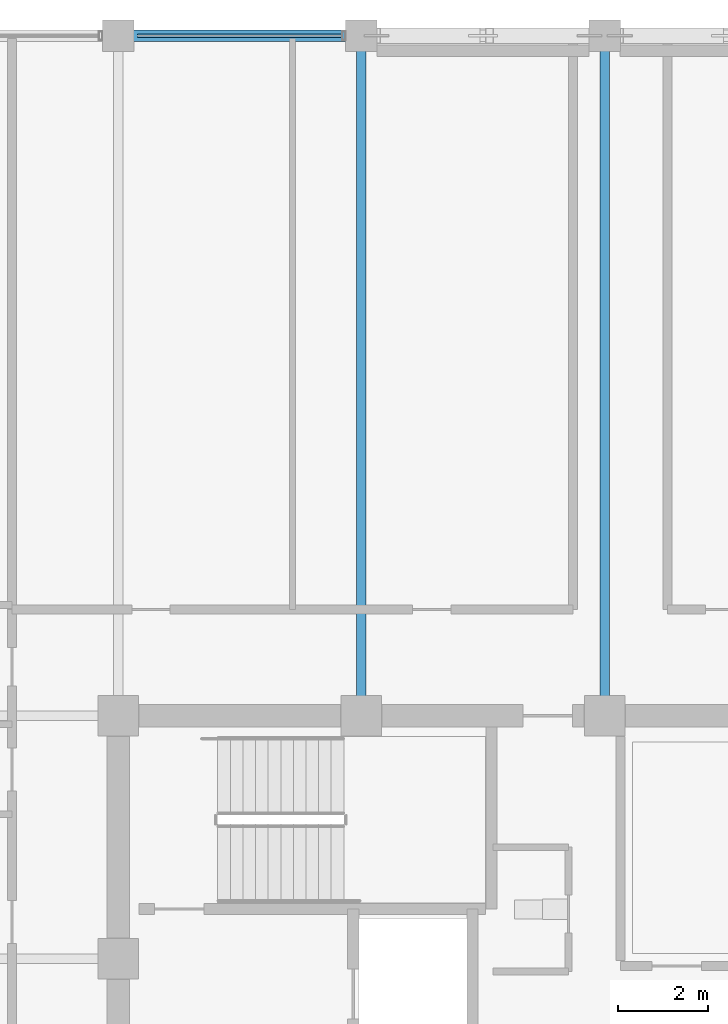
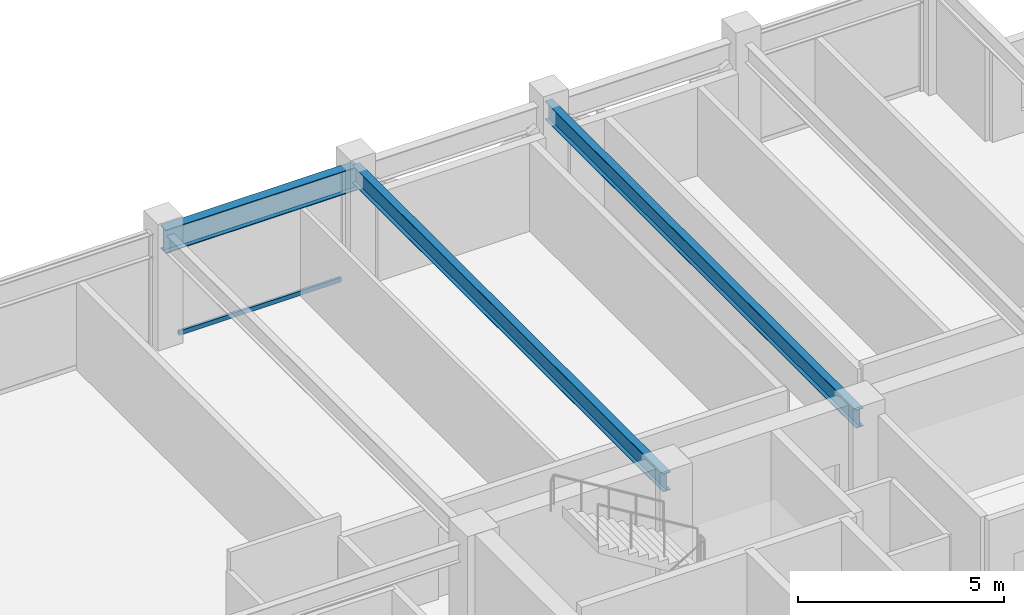
# One storey, part 18 of 31: 3 beams, 1 member, 1 element without a shape of its own.
"""IFC4 building model written with IfcOpenShell, lengths in metres."""

from ifc_helpers import new_model, si_unit, direction, frame, origin, origin_2d, place, context, subcontext, project, spatial, hollow_rectangle, i_section, extrude, material, layer, layer_set, material_profile, profile_set, type_object, element, aggregate, save


model = new_model("IFC4")

# Units and contexts
model_context = context("Model", 3, precision=1e-05, world=origin(), true_north=direction((0.0, 1.0)))
body_context = subcontext(model_context, "Body", "Model", "MODEL_VIEW")
ifc_project = project(units=[si_unit("LENGTHUNIT", "METRE"), si_unit("AREAUNIT", "SQUARE_METRE"), si_unit("VOLUMEUNIT", "CUBIC_METRE"), si_unit("PLANEANGLEUNIT", "RADIAN"), si_unit("MASSUNIT", "GRAM", prefix="KILO")], contexts=[model_context])

# Site, building, storey
site_placement = place(None, origin())
site = spatial("IfcSite", under=ifc_project, at=site_placement, CompositionType="ELEMENT")
building_placement = place(site_placement, origin())
building = spatial("IfcBuilding", under=site, at=building_placement, Name="Surkhivell Harbour Commons", CompositionType="ELEMENT")
storey_placement = place(building_placement, frame((0.0, 0.0, 333.75)))
storey = spatial("IfcBuildingStorey", under=building, at=storey_placement, Name="L87", CompositionType="ELEMENT", Elevation=333.75)

# Beams
ifc_material_1 = material(Name="Steel S355", Category="steel")
ifc_material_profile_1 = material_profile(ifc_material_1, i_section(OverallWidth=0.2099609375, OverallDepth=0.537109375, WebThickness=0.0107421875, FlangeThickness=0.017333984375, at=origin_2d()), Name="UB533x210x101")
ifc_profile_set_1 = profile_set([ifc_material_profile_1], Name="Steel S355")
beam_type_1 = type_object("IfcBeamType", Name="BM-GRD-533B", PredefinedType="BEAM", material=ifc_profile_set_1)
for number, where, z_axis, x_axis, name in (
    (1, (-5.39990234375, 10.800048828125, 3.0615234375), (0.0, 1.0, 0.0), (-1.0, 0.0, 0.0), "L87 Floor Girder (-5.4,10.8)"),
    (2, (0.0, 10.800048828125, 3.0615234375), (0.0, 1.0, 0.0), (-1.0, 0.0, 0.0), "L87 Floor Girder (0.0,10.8)"),
):
    element("IfcBeam", number, at=place(storey_placement, frame(where, z_axis=z_axis, x_axis=x_axis)), inside=storey, type_object=beam_type_1, Name=name, PredefinedType="BEAM", context=body_context, shape_type="SweptSolid", body=[
        extrude(i_section(OverallWidth=0.2099609375, OverallDepth=0.537109375, WebThickness=0.0107421875, FlangeThickness=0.017333984375, at=origin_2d()), origin(), (0.0, 0.0, 1.0), 15.099853515625),
    ])
ifc_material_profile_2 = material_profile(ifc_material_1, i_section(OverallWidth=0.256103515625, OverallDepth=0.693115234375, WebThickness=0.014404296875, FlangeThickness=0.023681640625, at=origin_2d()), Name="UB686x254x170")
ifc_profile_set_2 = profile_set([ifc_material_profile_2], Name="Steel S355")
beam_type_2 = type_object("IfcBeamType", Name="BM-SPN-686", PredefinedType="SPANDREL", material=ifc_profile_set_2)
beam_placement = place(storey_placement, frame((-10.800048828125, 25.89990234375, 2.9833984375), z_axis=(1.0, 0.0, 0.0), x_axis=(0.0, 1.0, 0.0)))
element("IfcBeam", 3, at=beam_placement, inside=storey, type_object=beam_type_2, Name="L87 Tube Spandrel (-10.8,25.9)", PredefinedType="SPANDREL", context=body_context, shape_type="SweptSolid", body=[
    extrude(i_section(OverallWidth=0.256103515625, OverallDepth=0.693115234375, WebThickness=0.014404296875, FlangeThickness=0.023681640625, at=origin_2d()), origin(), (0.0, 0.0, 1.0), 5.400146484375),
])

# Curtain wall, member
ifc_material_2 = material(Name="Anodised pale-metal aluminium and insulated glazing", Category="aluminium")
ifc_layer = layer(ifc_material_2, 0.175048828125)
ifc_layer_set = layer_set([ifc_layer], Name="Anodised pale-metal aluminium and insulated glazing")
curtain_wall_type = type_object("IfcCurtainWallType", Name="CW-SYS-Z4", PredefinedType="NOTDEFINED", material=ifc_layer_set)
curtain_wall_placement = place(storey_placement, origin())
curtain_wall = element("IfcCurtainWall", 4, at=curtain_wall_placement, inside=storey, type_object=curtain_wall_type, Name="L87 Curtain Wall CW-L87-E07S2", PredefinedType="NOTDEFINED")
ifc_material_3 = material(Name="Champagne anodised aluminium alloy 6063-T6", Category="aluminium")
ifc_material_profile_3 = material_profile(ifc_material_3, hollow_rectangle(XDim=0.070068359375, YDim=0.1298828125, WallThickness=0.00341796875, at=origin_2d()), Name="ALU-TRAN-70x130")
ifc_profile_set_3 = profile_set([ifc_material_profile_3], Name="Champagne anodised aluminium alloy 6063-T6")
member_type = type_object("IfcMemberType", Name="CWT-130", PredefinedType="USERDEFINED", material=ifc_profile_set_3)
member_placement = place(storey_placement, frame((-5.826904296875, 25.89990234375, 0.06494140625), z_axis=(-1.0, 0.0, 0.0), x_axis=(0.0, -1.0, 0.0)))
member = element("IfcMember", 5, at=member_placement, type_object=member_type, Name="CW-Z4 transom 1.1", ObjectType="TRANSOM", PredefinedType="USERDEFINED", context=body_context, shape_type="SweptSolid", body=[
    extrude(hollow_rectangle(XDim=0.070068359375, YDim=0.1298828125, WallThickness=0.00341796875, at=origin_2d()), origin(), (0.0, 0.0, 1.0), 4.546142578125),
])
aggregate(curtain_wall, [member])

save(model, "model.ifc")
